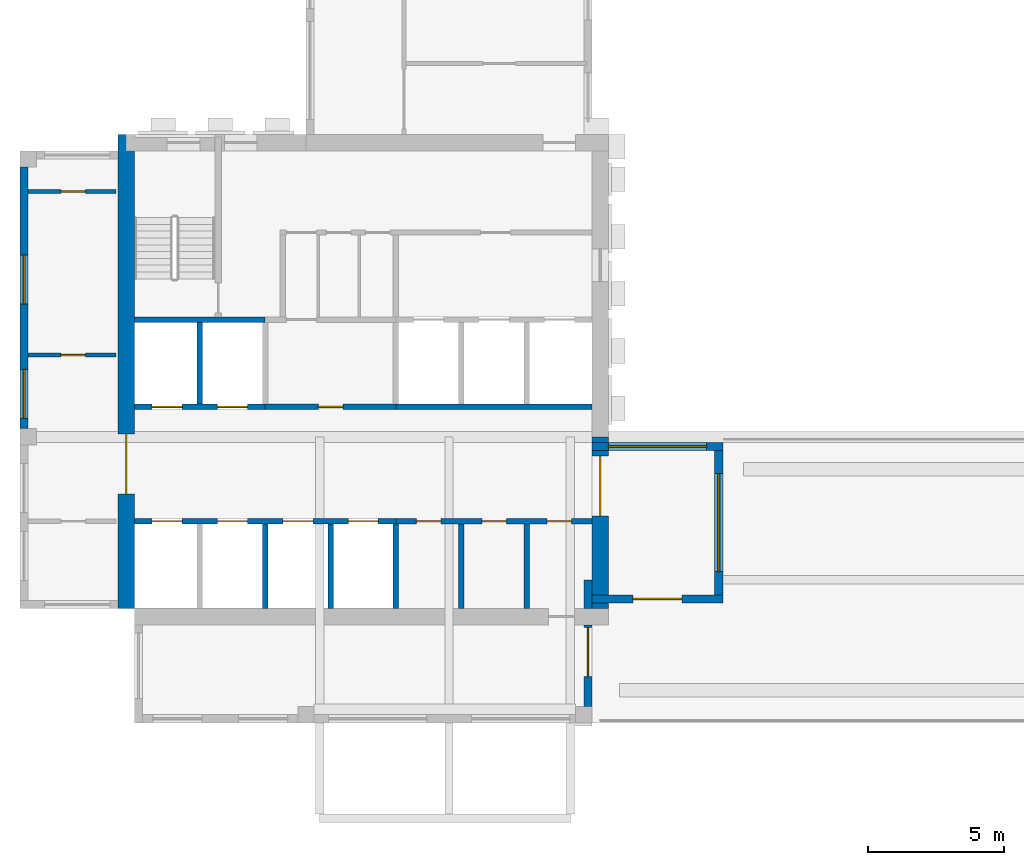
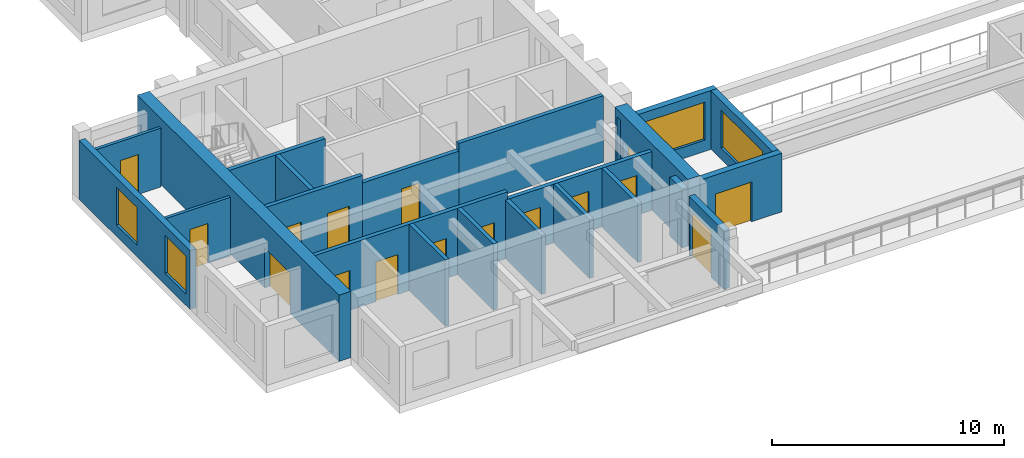
# One storey, part 2 of 9: 22 walls, 16 doors, 4 windows, 20 openings.
"""IFC4 building model written with IfcOpenShell, lengths in metres."""

from ifc_helpers import new_model, si_unit, direction, frame, frame_2d, origin, place, context, subcontext, project, spatial, rectangle, extrude, source, transform, mapped, material, layer, layer_set, type_object, element, fill, save


model = new_model("IFC4")

# Units and contexts
model_context = context("Model", 3, precision=1e-05, world=origin(), true_north=direction((0.0, 1.0)))
body_context = subcontext(model_context, "Body", "Model", "MODEL_VIEW")
ifc_project = project(units=[si_unit("LENGTHUNIT", "METRE"), si_unit("AREAUNIT", "SQUARE_METRE"), si_unit("VOLUMEUNIT", "CUBIC_METRE"), si_unit("PLANEANGLEUNIT", "RADIAN"), si_unit("MASSUNIT", "GRAM", prefix="KILO")], contexts=[model_context])

# Site, building, storey
site_placement = place(None, origin())
site = spatial("IfcSite", under=ifc_project, at=site_placement, CompositionType="ELEMENT")
building_placement = place(site_placement, origin())
building = spatial("IfcBuilding", under=site, at=building_placement, Name="Aurelian Terraces", CompositionType="ELEMENT")
storey_placement = place(building_placement, frame((0.0, 0.0, 330.0)))
storey = spatial("IfcBuildingStorey", under=building, at=storey_placement, Name="L77", CompositionType="ELEMENT", Elevation=330.0)

# Wall, opening, window
ifc_material_1 = material(Name="Concrete fc' 40 MPa", Category="concrete")
ifc_layer_1 = layer(ifc_material_1, 0.3)
ifc_layer_set_1 = layer_set([ifc_layer_1], Name="BOX BEARING WALL 300")
wall_type_1 = type_object("IfcWallType", Name="BOX BEARING WALL 300", PredefinedType="SOLIDWALL", material=ifc_layer_set_1)
wall_1_placement = place(storey_placement, frame((21.0, 10.15, 0.0), z_axis=(0.0, 0.0, 1.0), x_axis=(1.0, 0.0, 0.0)))
wall_1 = element("IfcWall", 1, at=wall_1_placement, inside=storey, type_object=wall_type_1, Name="Reading room wall L77 N", PredefinedType="SOLIDWALL", context=body_context, shape_type="SweptSolid", body=[
    extrude(rectangle(XDim=4.8, YDim=0.3, at=frame_2d((2.4, 0.0))), origin(), (0.0, 0.0, 1.0), 3.1),
])
shared_shape_1 = source(origin(), body_context, "Body", "SweptSolid", [
    extrude(rectangle(XDim=3.6, YDim=2.0, at=frame_2d((1.8, 1.0))), frame((0.0, 0.16, 0.0), z_axis=(0.0, -1.0, 0.0), x_axis=(1.0, 0.0, 0.0)), (0.0, 0.0, 1.0), 0.32),
])
opening_1_placement = place(wall_1_placement, frame((0.6, 0.0, 0.6)))
opening_1 = element("IfcOpeningElement", 2, at=opening_1_placement, cuts=wall_1, Name="Opening W3620", PredefinedType="OPENING", context=body_context, shape_type="MappedRepresentation", body=[
    mapped(shared_shape_1, transform((0.0, 0.0, 0.0), scale=1.0)),
])
ifc_material_2 = material(Name="Clear glazing", Category="glass")
window_type_1 = type_object("IfcWindowType", Name="W-3600x2000", PartitioningType="SINGLE_PANEL", PredefinedType="WINDOW", material=ifc_material_2)
shared_shape_2 = source(origin(), body_context, "Body", "SweptSolid", [
    extrude(rectangle(XDim=3.6, YDim=2.0, at=frame_2d((1.8, 1.0))), frame((0.0, 0.03, 0.0), z_axis=(0.0, -1.0, 0.0), x_axis=(1.0, 0.0, 0.0)), (0.0, 0.0, 1.0), 0.06),
])
window_1_placement = place(opening_1_placement, origin())
window_1 = element("IfcWindow", 3, at=window_1_placement, inside=storey, type_object=window_type_1, Name="Window L77 PORTAL-RR-N", OverallHeight=2.0, OverallWidth=3.6, PartitioningType="SINGLE_PANEL", PredefinedType="WINDOW", context=body_context, shape_type="MappedRepresentation", body=[
    mapped(shared_shape_2, transform((0.0, 0.0, 0.0), scale=1.0)),
])
fill(opening_1, window_1)

wall_2_placement = place(storey_placement, frame((25.65, 4.7, 0.0), z_axis=(0.0, 0.0, 1.0), x_axis=(0.0, 1.0, 0.0)))
wall_2 = element("IfcWall", 4, at=wall_2_placement, inside=storey, type_object=wall_type_1, Name="Reading room wall L77 E", PredefinedType="SOLIDWALL", context=body_context, shape_type="SweptSolid", body=[
    extrude(rectangle(XDim=5.3, YDim=0.3, at=frame_2d((2.65, 0.0))), origin(), (0.0, 0.0, 1.0), 3.1),
])
opening_2_placement = place(wall_2_placement, frame((0.85, 0.0, 0.6)))
opening_2 = element("IfcOpeningElement", 5, at=opening_2_placement, cuts=wall_2, Name="Opening W3620", PredefinedType="OPENING", context=body_context, shape_type="MappedRepresentation", body=[
    mapped(shared_shape_1, transform((0.0, 0.0, 0.0), scale=1.0)),
])
window_2_placement = place(opening_2_placement, origin())
window_2 = element("IfcWindow", 6, at=window_2_placement, inside=storey, type_object=window_type_1, Name="Window L77 PORTAL-RR-E", OverallHeight=2.0, OverallWidth=3.6, PartitioningType="SINGLE_PANEL", PredefinedType="WINDOW", context=body_context, shape_type="MappedRepresentation", body=[
    mapped(shared_shape_2, transform((0.0, 0.0, 0.0), scale=1.0)),
])
fill(opening_2, window_2)

# Wall, openings, windows
ifc_material_3 = material(Name="Terracotta rainscreen cladding", Category="masonry")
ifc_layer_2 = layer(ifc_material_3, 0.3)
ifc_layer_set_2 = layer_set([ifc_layer_2], Name="EW-300")
wall_type_2 = type_object("IfcWallType", Name="EW-300", PredefinedType="STANDARD", material=ifc_layer_set_2)
wall_3_placement = place(storey_placement, frame((0.15, 20.4, 0.0), z_axis=(0.0, 0.0, 1.0), x_axis=(0.0, -1.0, 0.0)))
wall_3 = element("IfcWall", 7, at=wall_3_placement, inside=storey, type_object=wall_type_2, Name="External wall L77 F10.16", PredefinedType="STANDARD", context=body_context, shape_type="SweptSolid", body=[
    extrude(rectangle(XDim=9.6, YDim=0.3, at=frame_2d((4.8, 0.0))), origin(), (0.0, 0.0, 1.0), 3.1),
])
shared_shape_3 = source(origin(), body_context, "Body", "SweptSolid", [
    extrude(rectangle(XDim=1.8, YDim=2.0, at=frame_2d((0.9, 1.0))), frame((0.0, 0.16, 0.0), z_axis=(0.0, -1.0, 0.0), x_axis=(1.0, 0.0, 0.0)), (0.0, 0.0, 1.0), 0.32),
])
opening_3_placement = place(wall_3_placement, frame((3.225, 0.0, 0.6)))
opening_3 = element("IfcOpeningElement", 8, at=opening_3_placement, cuts=wall_3, Name="Opening W1820", PredefinedType="OPENING", context=body_context, shape_type="MappedRepresentation", body=[
    mapped(shared_shape_3, transform((0.0, 0.0, 0.0), scale=1.0)),
])
opening_4_placement = place(wall_3_placement, frame((7.425, 0.0, 0.6)))
opening_4 = element("IfcOpeningElement", 9, at=opening_4_placement, cuts=wall_3, Name="Opening W1820", PredefinedType="OPENING", context=body_context, shape_type="MappedRepresentation", body=[
    mapped(shared_shape_3, transform((0.0, 0.0, 0.0), scale=1.0)),
])
window_type_2 = type_object("IfcWindowType", Name="W-1800x2000", PartitioningType="SINGLE_PANEL", PredefinedType="WINDOW", material=ifc_material_2)
shared_shape_4 = source(origin(), body_context, "Body", "SweptSolid", [
    extrude(rectangle(XDim=1.8, YDim=2.0, at=frame_2d((0.9, 1.0))), frame((0.0, 0.03, 0.0), z_axis=(0.0, -1.0, 0.0), x_axis=(1.0, 0.0, 0.0)), (0.0, 0.0, 1.0), 0.06),
])
window_3_placement = place(opening_3_placement, origin())
window_3 = element("IfcWindow", 10, at=window_3_placement, inside=storey, type_object=window_type_2, Name="Window L77 L77-F10-16-1", OverallHeight=2.0, OverallWidth=1.8, PartitioningType="SINGLE_PANEL", PredefinedType="WINDOW", context=body_context, shape_type="MappedRepresentation", body=[
    mapped(shared_shape_4, transform((0.0, 0.0, 0.0), scale=1.0)),
])
fill(opening_3, window_3)
window_4_placement = place(opening_4_placement, origin())
window_4 = element("IfcWindow", 11, at=window_4_placement, inside=storey, type_object=window_type_2, Name="Window L77 L77-F10-16-2", OverallHeight=2.0, OverallWidth=1.8, PartitioningType="SINGLE_PANEL", PredefinedType="WINDOW", context=body_context, shape_type="MappedRepresentation", body=[
    mapped(shared_shape_4, transform((0.0, 0.0, 0.0), scale=1.0)),
])
fill(opening_4, window_4)

# Wall, opening, door
ifc_material_4 = material(Name="Concrete fc' 55 MPa", Category="concrete")
ifc_layer_3 = layer(ifc_material_4, 0.6)
ifc_layer_set_3 = layer_set([ifc_layer_3], Name="CORE WALL 600 FC55")
wall_type_3 = type_object("IfcWallType", Name="CORE WALL 600 FC55", PredefinedType="SHEAR", material=ifc_layer_set_3)
shared_shape_5 = source(origin(), body_context, "Body", "SweptSolid", [
    extrude(rectangle(XDim=17.4, YDim=0.6, at=frame_2d((8.7, 0.0))), origin(), (0.0, 0.0, 1.0), 3.5),
])
wall_4_placement = place(storey_placement, frame((3.9, 4.2, 0.0), z_axis=(0.0, 0.0, 1.0), x_axis=(0.0, 1.0, 0.0)))
wall_4 = element("IfcWall", 12, at=wall_4_placement, inside=storey, type_object=wall_type_3, Name="Core wall W L77", PredefinedType="SHEAR", context=body_context, shape_type="MappedRepresentation", body=[
    mapped(shared_shape_5, transform((0.0, 0.0, 0.0), scale=1.0)),
])
shared_shape_6 = source(origin(), body_context, "Body", "SweptSolid", [
    extrude(rectangle(XDim=2.2, YDim=2.1, at=frame_2d((1.1, 1.05))), frame((0.0, 0.31, 0.0), z_axis=(0.0, -1.0, 0.0), x_axis=(1.0, 0.0, 0.0)), (0.0, 0.0, 1.0), 0.62),
])
opening_5_placement = place(wall_4_placement, frame((4.2, 0.0, 0.0)))
opening_5 = element("IfcOpeningElement", 13, at=opening_5_placement, cuts=wall_4, Name="Opening 68026", PredefinedType="OPENING", context=body_context, shape_type="MappedRepresentation", body=[
    mapped(shared_shape_6, transform((0.0, 0.0, 0.0), scale=1.0)),
])
ifc_material_5 = material(Name="Steel door leaf", Category="steel")
door_type_1 = type_object("IfcDoorType", Name="Core double door 2200x2100", OperationType="DOUBLE_DOOR_SINGLE_SWING", PredefinedType="DOOR", material=ifc_material_5)
shared_shape_7 = source(origin(), body_context, "Body", "SweptSolid", [
    extrude(rectangle(XDim=2.2, YDim=2.1, at=frame_2d((1.1, 1.05))), frame((0.0, 0.025, 0.0), z_axis=(0.0, -1.0, 0.0), x_axis=(1.0, 0.0, 0.0)), (0.0, 0.0, 1.0), 0.05),
])
door_1_placement = place(opening_5_placement, origin())
door_1 = element("IfcDoor", 14, at=door_1_placement, inside=storey, type_object=door_type_1, Name="Core door 68026", OperationType="DOUBLE_DOOR_SINGLE_SWING", OverallHeight=2.1, OverallWidth=2.2, PredefinedType="DOOR", context=body_context, shape_type="MappedRepresentation", body=[
    mapped(shared_shape_7, transform((0.0, 0.0, 0.0), scale=1.0)),
])
fill(opening_5, door_1)

shared_shape_8 = source(origin(), body_context, "Body", "SweptSolid", [
    extrude(rectangle(XDim=6.3, YDim=0.6, at=frame_2d((3.15, 0.0))), origin(), (0.0, 0.0, 1.0), 3.5),
])
wall_5_placement = place(storey_placement, frame((21.3, 4.2, 0.0), z_axis=(0.0, 0.0, 1.0), x_axis=(0.0, 1.0, 0.0)))
wall_5 = element("IfcWall", 15, at=wall_5_placement, inside=storey, type_object=wall_type_3, Name="Core wall E L77", PredefinedType="SHEAR", context=body_context, shape_type="MappedRepresentation", body=[
    mapped(shared_shape_8, transform((0.0, 0.0, 0.0), scale=1.0)),
])
opening_6_placement = place(wall_5_placement, frame((3.4, 0.0, 0.0)))
opening_6 = element("IfcOpeningElement", 16, at=opening_6_placement, cuts=wall_5, Name="Opening 68025", PredefinedType="OPENING", context=body_context, shape_type="MappedRepresentation", body=[
    mapped(shared_shape_6, transform((0.0, 0.0, 0.0), scale=1.0)),
])
door_2_placement = place(opening_6_placement, origin())
door_2 = element("IfcDoor", 17, at=door_2_placement, inside=storey, type_object=door_type_1, Name="Core door 68025", OperationType="DOUBLE_DOOR_SINGLE_SWING", OverallHeight=2.1, OverallWidth=2.2, PredefinedType="DOOR", context=body_context, shape_type="MappedRepresentation", body=[
    mapped(shared_shape_7, transform((0.0, 0.0, 0.0), scale=1.0)),
])
fill(opening_6, door_2)

# Wall
shared_shape_9 = source(origin(), body_context, "Body", "SweptSolid", [
    extrude(rectangle(XDim=1.05, YDim=0.3, at=frame_2d((0.525, 0.0))), origin(), (0.0, 0.0, 1.0), 3.1),
])
wall_6_placement = place(storey_placement, frame((20.85, 4.2, 0.0), z_axis=(0.0, 0.0, 1.0), x_axis=(0.0, 1.0, 0.0)))
element("IfcWall", 18, at=wall_6_placement, inside=storey, type_object=wall_type_2, Name="External wall L77 F02.3", PredefinedType="STANDARD", context=body_context, shape_type="MappedRepresentation", body=[
    mapped(shared_shape_9, transform((0.0, 0.0, 0.0), scale=1.0)),
])

# Wall, opening, door
shared_shape_10 = source(origin(), body_context, "Body", "SweptSolid", [
    extrude(rectangle(XDim=3.0, YDim=0.3, at=frame_2d((1.5, 0.0))), origin(), (0.0, 0.0, 1.0), 3.1),
])
wall_7_placement = place(storey_placement, frame((20.85, 0.6, 0.0), z_axis=(0.0, 0.0, 1.0), x_axis=(0.0, 1.0, 0.0)))
wall_7 = element("IfcWall", 19, at=wall_7_placement, inside=storey, type_object=wall_type_2, Name="External wall L77 F02.3", PredefinedType="STANDARD", context=body_context, shape_type="MappedRepresentation", body=[
    mapped(shared_shape_10, transform((0.0, 0.0, 0.0), scale=1.0)),
])
shared_shape_11 = source(origin(), body_context, "Body", "SweptSolid", [
    extrude(rectangle(XDim=1.8, YDim=2.4, at=frame_2d((0.9, 1.2))), frame((0.0, 0.16, 0.0), z_axis=(0.0, -1.0, 0.0), x_axis=(1.0, 0.0, 0.0)), (0.0, 0.0, 1.0), 0.32),
])
opening_7_placement = place(wall_7_placement, frame((1.1, 0.0, 0.0)))
opening_7 = element("IfcOpeningElement", 20, at=opening_7_placement, cuts=wall_7, Name="Opening 87701", PredefinedType="OPENING", context=body_context, shape_type="MappedRepresentation", body=[
    mapped(shared_shape_11, transform((0.0, 0.0, 0.0), scale=1.0)),
])
door_type_2 = type_object("IfcDoorType", Name="BD-1800x2400", OperationType="SLIDING_TO_LEFT", PredefinedType="DOOR", material=ifc_material_2)
shared_shape_12 = source(origin(), body_context, "Body", "SweptSolid", [
    extrude(rectangle(XDim=1.8, YDim=2.4, at=frame_2d((0.9, 1.2))), frame((0.0, 0.025, 0.0), z_axis=(0.0, -1.0, 0.0), x_axis=(1.0, 0.0, 0.0)), (0.0, 0.0, 1.0), 0.05),
])
door_3_placement = place(opening_7_placement, origin())
door_3 = element("IfcDoor", 21, at=door_3_placement, inside=storey, type_object=door_type_2, Name="Terrace door L77 L77-F02-03.1", OperationType="SLIDING_TO_LEFT", OverallHeight=2.4, OverallWidth=1.8, PredefinedType="DOOR", context=body_context, shape_type="MappedRepresentation", body=[
    mapped(shared_shape_12, transform((0.0, 0.0, 0.0), scale=1.0)),
])
fill(opening_7, door_3)

shared_shape_13 = source(origin(), body_context, "Body", "SweptSolid", [
    extrude(rectangle(XDim=4.8, YDim=0.3, at=frame_2d((2.4, 0.0))), origin(), (0.0, 0.0, 1.0), 3.1),
])
wall_8_placement = place(storey_placement, frame((21.0, 4.55, 0.0), z_axis=(0.0, 0.0, 1.0), x_axis=(1.0, 0.0, 0.0)))
wall_8 = element("IfcWall", 22, at=wall_8_placement, inside=storey, type_object=wall_type_1, Name="Reading room wall L77 S", PredefinedType="SOLIDWALL", context=body_context, shape_type="MappedRepresentation", body=[
    mapped(shared_shape_13, transform((0.0, 0.0, 0.0), scale=1.0)),
])
opening_8_placement = place(wall_8_placement, frame((1.5, 0.0, 0.0)))
opening_8 = element("IfcOpeningElement", 23, at=opening_8_placement, cuts=wall_8, Name="Opening 87702", PredefinedType="OPENING", context=body_context, shape_type="SweptSolid", body=[
    extrude(rectangle(XDim=1.8, YDim=2.1, at=frame_2d((0.9, 1.05))), frame((0.0, 0.16, 0.0), z_axis=(0.0, -1.0, 0.0), x_axis=(1.0, 0.0, 0.0)), (0.0, 0.0, 1.0), 0.32),
])
door_type_3 = type_object("IfcDoorType", Name="ED-1800x2100", OperationType="DOUBLE_DOOR_SINGLE_SWING", PredefinedType="DOOR", material=ifc_material_2)
door_4_placement = place(opening_8_placement, origin())
door_4 = element("IfcDoor", 24, at=door_4_placement, inside=storey, type_object=door_type_3, Name="Reading room terrace door L77", OperationType="DOUBLE_DOOR_SINGLE_SWING", OverallHeight=2.1, OverallWidth=1.8, PredefinedType="DOOR", context=body_context, shape_type="SweptSolid", body=[
    extrude(rectangle(XDim=1.8, YDim=2.1, at=frame_2d((0.9, 1.05))), frame((0.0, 0.025, 0.0), z_axis=(0.0, -1.0, 0.0), x_axis=(1.0, 0.0, 0.0)), (0.0, 0.0, 1.0), 0.05),
])
fill(opening_8, door_4)

# Walls
ifc_layer_4 = layer(ifc_material_1, 0.2)
ifc_layer_set_4 = layer_set([ifc_layer_4], Name="Lift shaft wall 200")
wall_type_4 = type_object("IfcWallType", Name="Lift shaft wall 200", PredefinedType="SOLIDWALL", material=ifc_layer_set_4)
shared_shape_14 = source(origin(), body_context, "Body", "SweptSolid", [
    extrude(rectangle(XDim=3.1, YDim=0.2, at=frame_2d((1.55, 0.0))), origin(), (0.0, 0.0, 1.0), 3.5),
])
for number, where, z_axis, x_axis, name in (
    (25, (9.0, 4.2, 0.0), (0.0, 0.0, 1.0), (0.0, 1.0, 0.0), "L77 core wall CD-A2"),
    (26, (11.4, 4.2, 0.0), (0.0, 0.0, 1.0), (0.0, 1.0, 0.0), "L77 core wall CD-A3"),
):
    element("IfcWall", number, at=place(storey_placement, frame(where, z_axis=z_axis, x_axis=x_axis)), inside=storey, type_object=wall_type_4, Name=name, PredefinedType="SOLIDWALL", context=body_context, shape_type="MappedRepresentation", body=[
        mapped(shared_shape_14, transform((0.0, 0.0, 0.0), scale=1.0)),
    ])
shared_shape_15 = source(origin(), body_context, "Body", "SweptSolid", [
    extrude(rectangle(XDim=3.1, YDim=0.2, at=frame_2d((1.55, 0.0))), origin(), (0.0, 0.0, 1.0), 3.1),
])
wall_9_placement = place(storey_placement, frame((13.8, 4.2, 0.0), z_axis=(0.0, 0.0, 1.0), x_axis=(0.0, 1.0, 0.0)))
element("IfcWall", 27, at=wall_9_placement, inside=storey, type_object=wall_type_4, Name="L77 core wall CD-A4", PredefinedType="SOLIDWALL", context=body_context, shape_type="MappedRepresentation", body=[
    mapped(shared_shape_15, transform((0.0, 0.0, 0.0), scale=1.0)),
])
shared_shape_16 = source(origin(), body_context, "Body", "SweptSolid", [
    extrude(rectangle(XDim=3.0, YDim=0.2, at=frame_2d((1.5, 0.0))), origin(), (0.0, 0.0, 1.0), 3.5),
])
wall_10_placement = place(storey_placement, frame((6.6, 11.7, 0.0), z_axis=(0.0, 0.0, 1.0), x_axis=(0.0, 1.0, 0.0)))
element("IfcWall", 28, at=wall_10_placement, inside=storey, type_object=wall_type_4, Name="L77 core wall CD-B1", PredefinedType="SOLIDWALL", context=body_context, shape_type="MappedRepresentation", body=[
    mapped(shared_shape_16, transform((0.0, 0.0, 0.0), scale=1.0)),
])

# Wall, openings, doors
shared_shape_17 = source(origin(), body_context, "Body", "SweptSolid", [
    extrude(rectangle(XDim=4.8, YDim=0.2, at=frame_2d((2.4, 0.0))), origin(), (0.0, 0.0, 1.0), 3.5),
])
wall_11_placement = place(storey_placement, frame((4.2, 11.6, 0.0), z_axis=(0.0, 0.0, 1.0), x_axis=(1.0, 0.0, 0.0)))
wall_11 = element("IfcWall", 29, at=wall_11_placement, inside=storey, type_object=wall_type_4, Name="L77 core wall CF-BF1", PredefinedType="SOLIDWALL", context=body_context, shape_type="MappedRepresentation", body=[
    mapped(shared_shape_17, transform((0.0, 0.0, 0.0), scale=1.0)),
])
shared_shape_18 = source(origin(), body_context, "Body", "SweptSolid", [
    extrude(rectangle(XDim=1.1, YDim=2.1, at=frame_2d((0.55, 1.05))), frame((0.0, 0.11, 0.0), z_axis=(0.0, -1.0, 0.0), x_axis=(1.0, 0.0, 0.0)), (0.0, 0.0, 1.0), 0.22),
])
opening_9_placement = place(wall_11_placement, frame((0.65, 0.0, 0.0)))
opening_9 = element("IfcOpeningElement", 30, at=opening_9_placement, cuts=wall_11, Name="Opening 68007", PredefinedType="OPENING", context=body_context, shape_type="MappedRepresentation", body=[
    mapped(shared_shape_18, transform((0.0, 0.0, 0.0), scale=1.0)),
])
opening_10_placement = place(wall_11_placement, frame((3.05, 0.0, 0.0)))
opening_10 = element("IfcOpeningElement", 31, at=opening_10_placement, cuts=wall_11, Name="Opening 68008", PredefinedType="OPENING", context=body_context, shape_type="MappedRepresentation", body=[
    mapped(shared_shape_18, transform((0.0, 0.0, 0.0), scale=1.0)),
])
ifc_material_6 = material(Name="Stainless steel", Category="steel")
door_type_4 = type_object("IfcDoorType", Name="Lift landing door 1100x2100", OperationType="SLIDING_TO_LEFT", PredefinedType="DOOR", material=ifc_material_6)
shared_shape_19 = source(origin(), body_context, "Body", "SweptSolid", [
    extrude(rectangle(XDim=1.1, YDim=2.1, at=frame_2d((0.55, 1.05))), frame((0.0, 0.025, 0.0), z_axis=(0.0, -1.0, 0.0), x_axis=(1.0, 0.0, 0.0)), (0.0, 0.0, 1.0), 0.05),
])
door_5_placement = place(opening_9_placement, origin())
door_5 = element("IfcDoor", 32, at=door_5_placement, inside=storey, type_object=door_type_4, Name="Lift landing door LH5 L77", OperationType="SLIDING_TO_LEFT", OverallHeight=2.1, OverallWidth=1.1, PredefinedType="DOOR", context=body_context, shape_type="MappedRepresentation", body=[
    mapped(shared_shape_19, transform((0.0, 0.0, 0.0), scale=1.0)),
])
fill(opening_9, door_5)
door_6_placement = place(opening_10_placement, origin())
door_6 = element("IfcDoor", 33, at=door_6_placement, inside=storey, type_object=door_type_4, Name="Lift landing door LH6 L77", OperationType="SLIDING_TO_LEFT", OverallHeight=2.1, OverallWidth=1.1, PredefinedType="DOOR", context=body_context, shape_type="MappedRepresentation", body=[
    mapped(shared_shape_19, transform((0.0, 0.0, 0.0), scale=1.0)),
])
fill(opening_10, door_6)

# Wall
wall_12_placement = place(storey_placement, frame((4.2, 14.8, 0.0), z_axis=(0.0, 0.0, 1.0), x_axis=(1.0, 0.0, 0.0)))
element("IfcWall", 34, at=wall_12_placement, inside=storey, type_object=wall_type_4, Name="L77 core wall CF-BB1", PredefinedType="SOLIDWALL", context=body_context, shape_type="MappedRepresentation", body=[
    mapped(shared_shape_17, transform((0.0, 0.0, 0.0), scale=1.0)),
])

# Wall, opening, door
shared_shape_20 = source(origin(), body_context, "Body", "SweptSolid", [
    extrude(rectangle(XDim=4.8, YDim=0.2, at=frame_2d((2.4, 0.0))), origin(), (0.0, 0.0, 1.0), 3.1),
])
wall_13_placement = place(storey_placement, frame((9.0, 11.6, 0.0), z_axis=(0.0, 0.0, 1.0), x_axis=(1.0, 0.0, 0.0)))
wall_13 = element("IfcWall", 35, at=wall_13_placement, inside=storey, type_object=wall_type_4, Name="L77 core wall CF-BF2", PredefinedType="SOLIDWALL", context=body_context, shape_type="MappedRepresentation", body=[
    mapped(shared_shape_20, transform((0.0, 0.0, 0.0), scale=1.0)),
])
shared_shape_21 = source(origin(), body_context, "Body", "SweptSolid", [
    extrude(rectangle(XDim=0.9, YDim=2.1, at=frame_2d((0.45, 1.05))), frame((0.0, 0.11, 0.0), z_axis=(0.0, -1.0, 0.0), x_axis=(1.0, 0.0, 0.0)), (0.0, 0.0, 1.0), 0.22),
])
opening_11_placement = place(wall_13_placement, frame((1.95, 0.0, 0.0)))
opening_11 = element("IfcOpeningElement", 36, at=opening_11_placement, cuts=wall_13, Name="Opening 68009", PredefinedType="OPENING", context=body_context, shape_type="MappedRepresentation", body=[
    mapped(shared_shape_21, transform((0.0, 0.0, 0.0), scale=1.0)),
])
door_type_5 = type_object("IfcDoorType", Name="Core service door 900x2100 right", OperationType="SINGLE_SWING_RIGHT", PredefinedType="DOOR", material=ifc_material_5)
shared_shape_22 = source(origin(), body_context, "Body", "SweptSolid", [
    extrude(rectangle(XDim=0.9, YDim=2.1, at=frame_2d((0.45, 1.05))), frame((0.0, 0.025, 0.0), z_axis=(0.0, -1.0, 0.0), x_axis=(1.0, 0.0, 0.0)), (0.0, 0.0, 1.0), 0.05),
])
door_7_placement = place(opening_11_placement, origin())
door_7 = element("IfcDoor", 37, at=door_7_placement, inside=storey, type_object=door_type_5, Name="Room door 68009", OperationType="SINGLE_SWING_RIGHT", OverallHeight=2.1, OverallWidth=0.9, PredefinedType="DOOR", context=body_context, shape_type="MappedRepresentation", body=[
    mapped(shared_shape_22, transform((0.0, 0.0, 0.0), scale=1.0)),
])
fill(opening_11, door_7)

# Walls
shared_shape_23 = source(origin(), body_context, "Body", "SweptSolid", [
    extrude(rectangle(XDim=7.2, YDim=0.2, at=frame_2d((3.6, 0.0))), origin(), (0.0, 0.0, 1.0), 3.5),
])
wall_14_placement = place(storey_placement, frame((13.8, 11.6, 0.0), z_axis=(0.0, 0.0, 1.0), x_axis=(1.0, 0.0, 0.0)))
element("IfcWall", 38, at=wall_14_placement, inside=storey, type_object=wall_type_4, Name="L77 core wall CF-BF3", PredefinedType="SOLIDWALL", context=body_context, shape_type="MappedRepresentation", body=[
    mapped(shared_shape_23, transform((0.0, 0.0, 0.0), scale=1.0)),
])
ifc_material_7 = material(Name="Gypsum board on steel studs", Category="steel")
ifc_layer_5 = layer(ifc_material_7, 0.2)
ifc_layer_set_5 = layer_set([ifc_layer_5], Name="Core partition 200")
wall_type_5 = type_object("IfcWallType", Name="Core partition 200", PredefinedType="PARTITIONING", material=ifc_layer_set_5)
shared_shape_24 = source(origin(), body_context, "Body", "SweptSolid", [
    extrude(rectangle(XDim=3.1, YDim=0.2, at=frame_2d((1.55, 0.0))), origin(), (0.0, 0.0, 1.0), 3.1),
])
for number, where, z_axis, x_axis, name in (
    (39, (16.2, 4.2, 0.0), (0.0, 0.0, 1.0), (0.0, 1.0, 0.0), "L77 core wall CS-A5"),
    (40, (18.6, 4.2, 0.0), (0.0, 0.0, 1.0), (0.0, 1.0, 0.0), "L77 core wall CS-A6"),
):
    element("IfcWall", number, at=place(storey_placement, frame(where, z_axis=z_axis, x_axis=x_axis)), inside=storey, type_object=wall_type_5, Name=name, PredefinedType="PARTITIONING", context=body_context, shape_type="MappedRepresentation", body=[
        mapped(shared_shape_24, transform((0.0, 0.0, 0.0), scale=1.0)),
    ])

# Wall, openings, doors
shared_shape_25 = source(origin(), body_context, "Body", "SweptSolid", [
    extrude(rectangle(XDim=9.6, YDim=0.2, at=frame_2d((4.8, 0.0))), origin(), (0.0, 0.0, 1.0), 3.5),
])
wall_15_placement = place(storey_placement, frame((4.2, 7.4, 0.0), z_axis=(0.0, 0.0, 1.0), x_axis=(1.0, 0.0, 0.0)))
wall_15 = element("IfcWall", 41, at=wall_15_placement, inside=storey, type_object=wall_type_4, Name="L77 core wall CF-AF1", PredefinedType="SOLIDWALL", context=body_context, shape_type="MappedRepresentation", body=[
    mapped(shared_shape_25, transform((0.0, 0.0, 0.0), scale=1.0)),
])
opening_12_placement = place(wall_15_placement, frame((0.65, 0.0, 0.0)))
opening_12 = element("IfcOpeningElement", 42, at=opening_12_placement, cuts=wall_15, Name="Opening 68000", PredefinedType="OPENING", context=body_context, shape_type="MappedRepresentation", body=[
    mapped(shared_shape_18, transform((0.0, 0.0, 0.0), scale=1.0)),
])
opening_13_placement = place(wall_15_placement, frame((3.05, 0.0, 0.0)))
opening_13 = element("IfcOpeningElement", 43, at=opening_13_placement, cuts=wall_15, Name="Opening 68001", PredefinedType="OPENING", context=body_context, shape_type="MappedRepresentation", body=[
    mapped(shared_shape_18, transform((0.0, 0.0, 0.0), scale=1.0)),
])
opening_14_placement = place(wall_15_placement, frame((5.45, 0.0, 0.0)))
opening_14 = element("IfcOpeningElement", 44, at=opening_14_placement, cuts=wall_15, Name="Opening 68002", PredefinedType="OPENING", context=body_context, shape_type="MappedRepresentation", body=[
    mapped(shared_shape_18, transform((0.0, 0.0, 0.0), scale=1.0)),
])
opening_15_placement = place(wall_15_placement, frame((7.85, 0.0, 0.0)))
opening_15 = element("IfcOpeningElement", 45, at=opening_15_placement, cuts=wall_15, Name="Opening 68003", PredefinedType="OPENING", context=body_context, shape_type="MappedRepresentation", body=[
    mapped(shared_shape_18, transform((0.0, 0.0, 0.0), scale=1.0)),
])
door_8_placement = place(opening_12_placement, origin())
door_8 = element("IfcDoor", 46, at=door_8_placement, inside=storey, type_object=door_type_4, Name="Lift landing door LH1 L77", OperationType="SLIDING_TO_LEFT", OverallHeight=2.1, OverallWidth=1.1, PredefinedType="DOOR", context=body_context, shape_type="MappedRepresentation", body=[
    mapped(shared_shape_19, transform((0.0, 0.0, 0.0), scale=1.0)),
])
fill(opening_12, door_8)
door_9_placement = place(opening_13_placement, origin())
door_9 = element("IfcDoor", 47, at=door_9_placement, inside=storey, type_object=door_type_4, Name="Lift landing door LH2 L77", OperationType="SLIDING_TO_LEFT", OverallHeight=2.1, OverallWidth=1.1, PredefinedType="DOOR", context=body_context, shape_type="MappedRepresentation", body=[
    mapped(shared_shape_19, transform((0.0, 0.0, 0.0), scale=1.0)),
])
fill(opening_13, door_9)
door_10_placement = place(opening_14_placement, origin())
door_10 = element("IfcDoor", 48, at=door_10_placement, inside=storey, type_object=door_type_4, Name="Lift landing door LH3 L77", OperationType="SLIDING_TO_LEFT", OverallHeight=2.1, OverallWidth=1.1, PredefinedType="DOOR", context=body_context, shape_type="MappedRepresentation", body=[
    mapped(shared_shape_19, transform((0.0, 0.0, 0.0), scale=1.0)),
])
fill(opening_14, door_10)
door_11_placement = place(opening_15_placement, origin())
door_11 = element("IfcDoor", 49, at=door_11_placement, inside=storey, type_object=door_type_4, Name="Lift landing door LH4 L77", OperationType="SLIDING_TO_LEFT", OverallHeight=2.1, OverallWidth=1.1, PredefinedType="DOOR", context=body_context, shape_type="MappedRepresentation", body=[
    mapped(shared_shape_19, transform((0.0, 0.0, 0.0), scale=1.0)),
])
fill(opening_15, door_11)

shared_shape_26 = source(origin(), body_context, "Body", "SweptSolid", [
    extrude(rectangle(XDim=7.2, YDim=0.2, at=frame_2d((3.6, 0.0))), origin(), (0.0, 0.0, 1.0), 3.1),
])
wall_16_placement = place(storey_placement, frame((13.8, 7.4, 0.0), z_axis=(0.0, 0.0, 1.0), x_axis=(1.0, 0.0, 0.0)))
wall_16 = element("IfcWall", 50, at=wall_16_placement, inside=storey, type_object=wall_type_4, Name="L77 core wall CF-AF2", PredefinedType="SOLIDWALL", context=body_context, shape_type="MappedRepresentation", body=[
    mapped(shared_shape_26, transform((0.0, 0.0, 0.0), scale=1.0)),
])
opening_16_placement = place(wall_16_placement, frame((0.75, 0.0, 0.0)))
opening_16 = element("IfcOpeningElement", 51, at=opening_16_placement, cuts=wall_16, Name="Opening 68004", PredefinedType="OPENING", context=body_context, shape_type="MappedRepresentation", body=[
    mapped(shared_shape_21, transform((0.0, 0.0, 0.0), scale=1.0)),
])
opening_17_placement = place(wall_16_placement, frame((3.15, 0.0, 0.0)))
opening_17 = element("IfcOpeningElement", 52, at=opening_17_placement, cuts=wall_16, Name="Opening 68005", PredefinedType="OPENING", context=body_context, shape_type="MappedRepresentation", body=[
    mapped(shared_shape_21, transform((0.0, 0.0, 0.0), scale=1.0)),
])
opening_18_placement = place(wall_16_placement, frame((5.55, 0.0, 0.0)))
opening_18 = element("IfcOpeningElement", 53, at=opening_18_placement, cuts=wall_16, Name="Opening 68006", PredefinedType="OPENING", context=body_context, shape_type="MappedRepresentation", body=[
    mapped(shared_shape_21, transform((0.0, 0.0, 0.0), scale=1.0)),
])
door_type_6 = type_object("IfcDoorType", Name="Core service door 900x2100", OperationType="SINGLE_SWING_LEFT", PredefinedType="DOOR", material=ifc_material_5)
door_12_placement = place(opening_16_placement, origin())
door_12 = element("IfcDoor", 54, at=door_12_placement, inside=storey, type_object=door_type_6, Name="Room door 68004", OperationType="SINGLE_SWING_LEFT", OverallHeight=2.1, OverallWidth=0.9, PredefinedType="DOOR", context=body_context, shape_type="MappedRepresentation", body=[
    mapped(shared_shape_22, transform((0.0, 0.0, 0.0), scale=1.0)),
])
fill(opening_16, door_12)
door_13_placement = place(opening_17_placement, origin())
door_13 = element("IfcDoor", 55, at=door_13_placement, inside=storey, type_object=door_type_5, Name="Room door 68005", OperationType="SINGLE_SWING_RIGHT", OverallHeight=2.1, OverallWidth=0.9, PredefinedType="DOOR", context=body_context, shape_type="MappedRepresentation", body=[
    mapped(shared_shape_22, transform((0.0, 0.0, 0.0), scale=1.0)),
])
fill(opening_17, door_13)
door_14_placement = place(opening_18_placement, origin())
door_14 = element("IfcDoor", 56, at=door_14_placement, inside=storey, type_object=door_type_6, Name="Room door 68006", OperationType="SINGLE_SWING_LEFT", OverallHeight=2.1, OverallWidth=0.9, PredefinedType="DOOR", context=body_context, shape_type="MappedRepresentation", body=[
    mapped(shared_shape_22, transform((0.0, 0.0, 0.0), scale=1.0)),
])
fill(opening_18, door_14)

# Wall, opening, door
ifc_layer_6 = layer(ifc_material_7, 0.15)
ifc_layer_set_6 = layer_set([ifc_layer_6], Name="Partition 150")
wall_type_6 = type_object("IfcWallType", Name="Partition 150", PredefinedType="PARTITIONING", material=ifc_layer_set_6)
shared_shape_27 = source(origin(), body_context, "Body", "SweptSolid", [
    extrude(rectangle(XDim=3.225, YDim=0.15, at=frame_2d((1.6125, 0.0))), origin(), (0.0, 0.0, 1.0), 3.1),
])
wall_17_placement = place(storey_placement, frame((0.3, 13.5, 0.0), z_axis=(0.0, 0.0, 1.0), x_axis=(1.0, 0.0, 0.0)))
wall_17 = element("IfcWall", 57, at=wall_17_placement, inside=storey, type_object=wall_type_6, Name="Partition", PredefinedType="PARTITIONING", context=body_context, shape_type="MappedRepresentation", body=[
    mapped(shared_shape_27, transform((0.0, 0.0, 0.0), scale=1.0)),
])
shared_shape_28 = source(origin(), body_context, "Body", "SweptSolid", [
    extrude(rectangle(XDim=0.9, YDim=2.1, at=frame_2d((0.45, 1.05))), frame((0.0, 0.085, 0.0), z_axis=(0.0, -1.0, 0.0), x_axis=(1.0, 0.0, 0.0)), (0.0, 0.0, 1.0), 0.17),
])
opening_19_placement = place(wall_17_placement, frame((1.2, 0.0, 0.0)))
opening_19 = element("IfcOpeningElement", 58, at=opening_19_placement, cuts=wall_17, Name="Opening 777002", PredefinedType="OPENING", context=body_context, shape_type="MappedRepresentation", body=[
    mapped(shared_shape_28, transform((0.0, 0.0, 0.0), scale=1.0)),
])
ifc_material_8 = material(Name="Timber door leaf", Category="wood")
door_type_7 = type_object("IfcDoorType", Name="Room door 900x2100 right", OperationType="SINGLE_SWING_RIGHT", PredefinedType="DOOR", material=ifc_material_8)
door_15_placement = place(opening_19_placement, origin())
door_15 = element("IfcDoor", 59, at=door_15_placement, inside=storey, type_object=door_type_7, Name="Door 777002", OperationType="SINGLE_SWING_RIGHT", OverallHeight=2.1, OverallWidth=0.9, PredefinedType="DOOR", context=body_context, shape_type="MappedRepresentation", body=[
    mapped(shared_shape_22, transform((0.0, 0.0, 0.0), scale=1.0)),
])
fill(opening_19, door_15)

wall_18_placement = place(storey_placement, frame((0.3, 19.5, 0.0), z_axis=(0.0, 0.0, 1.0), x_axis=(1.0, 0.0, 0.0)))
wall_18 = element("IfcWall", 60, at=wall_18_placement, inside=storey, type_object=wall_type_6, Name="Partition", PredefinedType="PARTITIONING", context=body_context, shape_type="MappedRepresentation", body=[
    mapped(shared_shape_27, transform((0.0, 0.0, 0.0), scale=1.0)),
])
opening_20_placement = place(wall_18_placement, frame((1.2, 0.0, 0.0)))
opening_20 = element("IfcOpeningElement", 61, at=opening_20_placement, cuts=wall_18, Name="Opening 777003", PredefinedType="OPENING", context=body_context, shape_type="MappedRepresentation", body=[
    mapped(shared_shape_28, transform((0.0, 0.0, 0.0), scale=1.0)),
])
door_type_8 = type_object("IfcDoorType", Name="Room door 900x2100 left", OperationType="SINGLE_SWING_LEFT", PredefinedType="DOOR", material=ifc_material_8)
door_16_placement = place(opening_20_placement, origin())
door_16 = element("IfcDoor", 62, at=door_16_placement, inside=storey, type_object=door_type_8, Name="Door 777003", OperationType="SINGLE_SWING_LEFT", OverallHeight=2.1, OverallWidth=0.9, PredefinedType="DOOR", context=body_context, shape_type="MappedRepresentation", body=[
    mapped(shared_shape_22, transform((0.0, 0.0, 0.0), scale=1.0)),
])
fill(opening_20, door_16)

save(model, "model.ifc")
